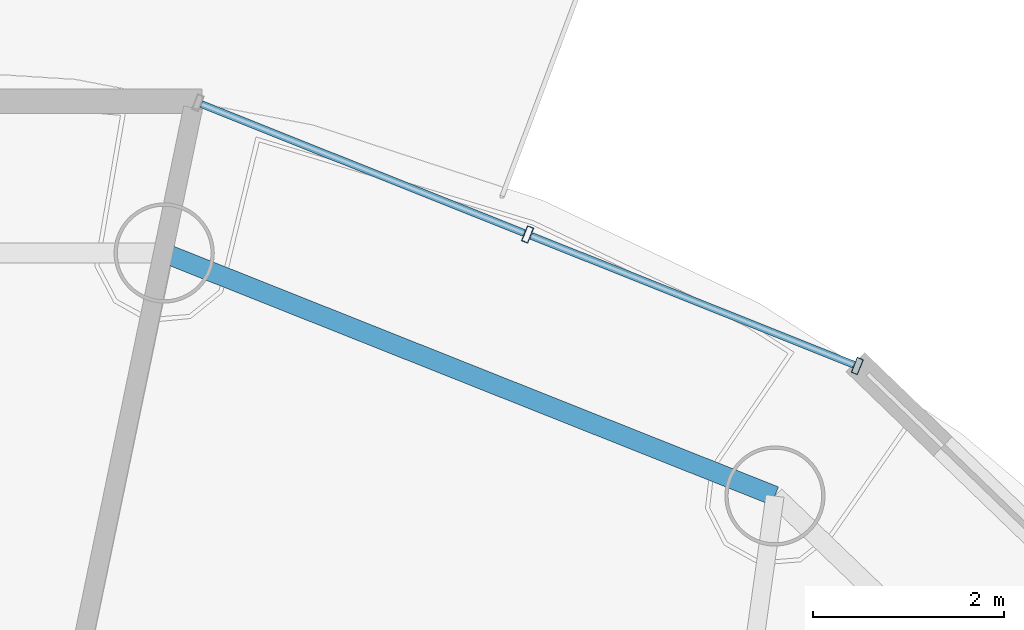
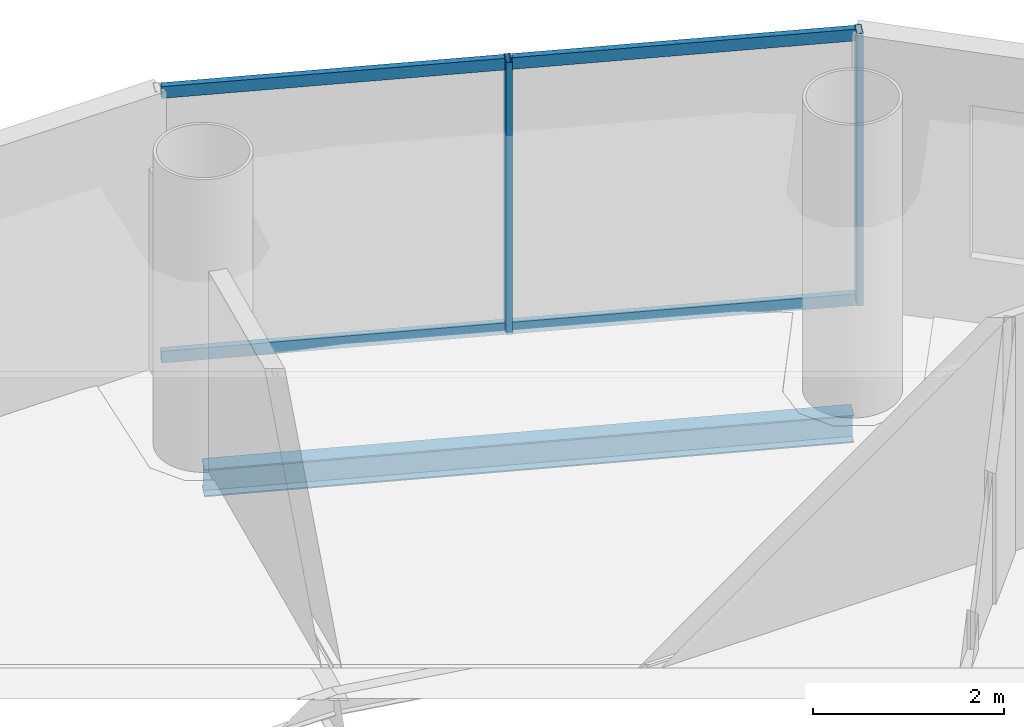
# One storey, part 13 of 22: 6 members, 1 beam, 1 element without a shape of its own.
"""IFC4 building model written with IfcOpenShell, lengths in metres."""

from ifc_helpers import new_model, si_unit, direction, frame, origin, origin_2d, place, context, subcontext, project, spatial, hollow_rectangle, i_section, extrude, source, transform, mapped, material, material_profile, profile_set, type_object, element, aggregate, save


model = new_model("IFC4")

# Units and contexts
model_context = context("Model", 3, precision=1e-05, world=origin(), true_north=direction((-0.2419218956, 0.970295726276)))
body_context = subcontext(model_context, "Body", "Model", "MODEL_VIEW")
ifc_project = project(units=[si_unit("LENGTHUNIT", "METRE"), si_unit("AREAUNIT", "SQUARE_METRE"), si_unit("VOLUMEUNIT", "CUBIC_METRE"), si_unit("PLANEANGLEUNIT", "RADIAN"), si_unit("MASSUNIT", "GRAM", prefix="KILO")], contexts=[model_context])

# Site, building, storey
site_placement = place(None, origin())
site = spatial("IfcSite", under=ifc_project, at=site_placement, CompositionType="ELEMENT")
building_placement = place(site_placement, origin())
building = spatial("IfcBuilding", under=site, at=building_placement, Name="Cobrevalo Terracotta Tower", CompositionType="ELEMENT")
storey_placement = place(building_placement, frame((0.0, 0.0, 289.449951171875)))
storey = spatial("IfcBuildingStorey", under=building, at=storey_placement, Name="L76", CompositionType="ELEMENT", Elevation=289.449951171875)

# Beam
ifc_material_1 = material(Name="Steel S355", Category="steel")
ifc_material_profile_1 = material_profile(ifc_material_1, i_section(OverallWidth=0.205078125, OverallDepth=0.35400390625, WebThickness=0.009521484375, FlangeThickness=0.016845703125, at=origin_2d()), Name="W 360x79")
ifc_profile_set_1 = profile_set([ifc_material_profile_1], Name="Steel S355")
beam_type = type_object("IfcBeamType", Name="Structural Spandrel W 360x79 (Steel S355)", PredefinedType="SPANDREL", material=ifc_profile_set_1)
beam_placement = place(storey_placement, frame((47.861328125, 40.9765625, -0.43701171875), z_axis=(-0.929149986048, 0.369702993533, 0.0), x_axis=(-0.369702993533, -0.929149986048, 0.0)))
element("IfcBeam", 1, at=beam_placement, inside=storey, type_object=beam_type, Name="L76 perimeter ring spandrel 03", PredefinedType="SPANDREL", context=body_context, shape_type="SweptSolid", body=[
    extrude(i_section(OverallWidth=0.205078125, OverallDepth=0.35400390625, WebThickness=0.009521484375, FlangeThickness=0.016845703125, at=origin_2d()), origin(), (0.0, 0.0, 1.0), 6.88623046875),
])

# Curtain wall, members
ifc_material_2 = material(Name="Anodized aluminium", Category="aluminium")
curtain_wall_type = type_object("IfcCurtainWallType", Name="Upper-tower triple-glazed penthouse curtain wall CW-U3", PredefinedType="NOTDEFINED", material=ifc_material_2)
curtain_wall_placement = place(storey_placement, origin())
curtain_wall = element("IfcCurtainWall", 2, at=curtain_wall_placement, inside=storey, type_object=curtain_wall_type, Name="L76 curtain wall CW-L76-S03", PredefinedType="NOTDEFINED")
ifc_material_profile_2 = material_profile(ifc_material_2, hollow_rectangle(XDim=0.070068359375, YDim=0.169921875, WallThickness=0.00439453125, at=origin_2d()), Name="CWM 70x170")
ifc_profile_set_2 = profile_set([ifc_material_profile_2], Name="Anodized aluminium")
member_type_1 = type_object("IfcMemberType", Name="Upper tower unitised mullion 70x170", PredefinedType="MULLION", material=ifc_profile_set_2)
shared_shape_1 = source(origin(), body_context, "Body", "SweptSolid", [
    extrude(hollow_rectangle(XDim=0.070068359375, YDim=0.169921875, WallThickness=0.00439453125, at=origin_2d()), origin(), (0.0, 0.0, 1.0), 3.489990234375),
])
member_1_placement = place(storey_placement, frame((48.724365234375, 42.33837890625, 0.0), z_axis=(0.0, 0.0, 1.0), x_axis=(-0.928718980883, 0.370784377433, 0.0)))
member_1 = element("IfcMember", 3, at=member_1_placement, type_object=member_type_1, Name="CW-L76-S03 vertical mullion 01", PredefinedType="MULLION", context=body_context, shape_type="MappedRepresentation", body=[
    mapped(shared_shape_1, transform((0.0, 0.0, 0.0), scale=1.0)),
])
member_2_placement = place(storey_placement, frame((45.270263671875, 43.71728515625, 0.0), z_axis=(0.0, 0.0, 1.0), x_axis=(-0.928718980883, 0.370784377433, 0.0)))
member_2 = element("IfcMember", 4, at=member_2_placement, type_object=member_type_1, Name="CW-L76-S03 vertical mullion 02", PredefinedType="MULLION", context=body_context, shape_type="MappedRepresentation", body=[
    mapped(shared_shape_1, transform((0.0, 0.0, 0.0), scale=1.0)),
])
ifc_material_profile_3 = material_profile(ifc_material_2, hollow_rectangle(XDim=0.074951171875, YDim=0.14990234375, WallThickness=0.00439453125, at=origin_2d()), Name="CWT 75x150")
ifc_profile_set_3 = profile_set([ifc_material_profile_3], Name="Anodized aluminium")
member_type_2 = type_object("IfcMemberType", Name="Tower unitised aluminium transom 75x150", PredefinedType="USERDEFINED", material=ifc_profile_set_3)
shared_shape_2 = source(origin(), body_context, "Body", "SweptSolid", [
    extrude(hollow_rectangle(XDim=0.074951171875, YDim=0.14990234375, WallThickness=0.00439453125, at=origin_2d()), origin(), (0.0, 0.0, 1.0), 3.63916015625),
])
member_3_placement = place(storey_placement, frame((48.68701171875, 42.353271484375, 0.050048828125), z_axis=(-0.928712471544, 0.370800681227, 0.0), x_axis=(-0.370800681227, -0.928712471544, 0.0)))
member_3 = element("IfcMember", 5, at=member_3_placement, type_object=member_type_2, Name="CW-L76-S03 transom B01-T1", ObjectType="TRANSOM", PredefinedType="USERDEFINED", context=body_context, shape_type="MappedRepresentation", body=[
    mapped(shared_shape_2, transform((0.0, 0.0, 0.0), scale=1.0)),
])
member_4_placement = place(storey_placement, frame((48.68701171875, 42.353271484375, 3.43994140625), z_axis=(-0.928712471544, 0.370800681227, 0.0), x_axis=(-0.370800681227, -0.928712471544, 0.0)))
member_4 = element("IfcMember", 6, at=member_4_placement, type_object=member_type_2, Name="CW-L76-S03 transom B01-T2", ObjectType="TRANSOM", PredefinedType="USERDEFINED", context=body_context, shape_type="MappedRepresentation", body=[
    mapped(shared_shape_2, transform((0.0, 0.0, 0.0), scale=1.0)),
])
member_5_placement = place(storey_placement, frame((45.23291015625, 43.732177734375, 0.050048828125), z_axis=(-0.928712471544, 0.370800681227, 0.0), x_axis=(-0.370800681227, -0.928712471544, 0.0)))
member_5 = element("IfcMember", 7, at=member_5_placement, type_object=member_type_2, Name="CW-L76-S03 transom B02-T1", ObjectType="TRANSOM", PredefinedType="USERDEFINED", context=body_context, shape_type="MappedRepresentation", body=[
    mapped(shared_shape_2, transform((0.0, 0.0, 0.0), scale=1.0)),
])
member_6_placement = place(storey_placement, frame((45.23291015625, 43.732177734375, 3.43994140625), z_axis=(-0.928712471544, 0.370800681227, 0.0), x_axis=(-0.370800681227, -0.928712471544, 0.0)))
member_6 = element("IfcMember", 8, at=member_6_placement, type_object=member_type_2, Name="CW-L76-S03 transom B02-T2", ObjectType="TRANSOM", PredefinedType="USERDEFINED", context=body_context, shape_type="MappedRepresentation", body=[
    mapped(shared_shape_2, transform((0.0, 0.0, 0.0), scale=1.0)),
])
aggregate(curtain_wall, [member_1, member_2, member_3, member_4, member_5, member_6])

save(model, "model.ifc")
